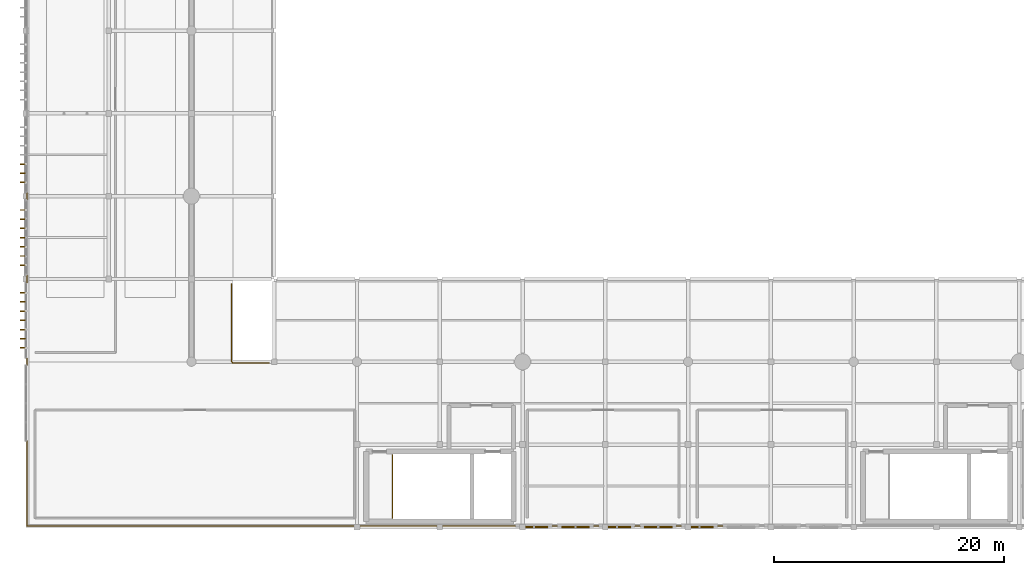
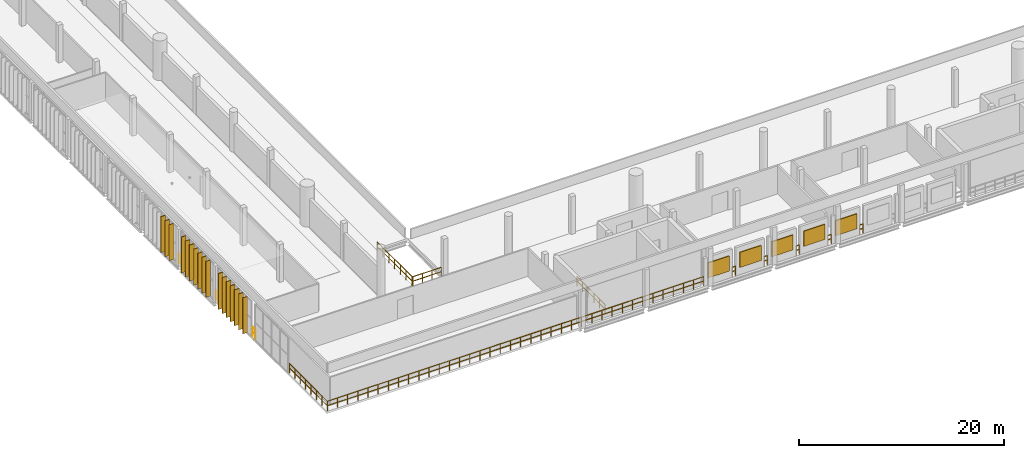
# One storey, part 57 of 64: 17 coverings, 15 shading devices, 12 railings.
"""IFC4 building model written with IfcOpenShell, lengths in metres."""

from ifc_helpers import new_model, si_unit, direction, frame, origin, origin_2d, place, context, subcontext, project, spatial, rectangle, circle, extrude, material, layer, layer_set, type_object, element, save


model = new_model("IFC4")

# Units and contexts
model_context = context("Model", 3, precision=1e-05, world=origin(), true_north=direction((0.0, 1.0)))
body_context = subcontext(model_context, "Body", "Model", "MODEL_VIEW")
ifc_project = project(units=[si_unit("LENGTHUNIT", "METRE"), si_unit("AREAUNIT", "SQUARE_METRE"), si_unit("VOLUMEUNIT", "CUBIC_METRE"), si_unit("PLANEANGLEUNIT", "RADIAN"), si_unit("MASSUNIT", "GRAM", prefix="KILO")], contexts=[model_context])

# Site, building, storey
site_placement = place(None, origin())
site = spatial("IfcSite", under=ifc_project, at=site_placement, CompositionType="ELEMENT")
building_placement = place(site_placement, origin())
building = spatial("IfcBuilding", under=site, at=building_placement, Name="Qandorah Velis Arena", CompositionType="ELEMENT")
storey_placement = place(building_placement, frame((0.0, 0.0, 23.0)))
storey = spatial("IfcBuildingStorey", under=building, at=storey_placement, Name="L05", CompositionType="ELEMENT", Elevation=23.0)

# Coverings
ifc_material_1 = material(Name="Champagne-bronze anodized aluminium 6063-T6", Category="aluminium")
ifc_layer_1 = layer(ifc_material_1, 0.0849609375)
ifc_layer_set_1 = layer_set([ifc_layer_1], Name="Champagne-bronze anodized aluminium 6063-T6")
covering_type = type_object("IfcCoveringType", Name="ARC-COV-FIN520", PredefinedType="CLADDING", material=ifc_layer_set_1)
for number, where, z_axis, x_axis, name in (
    (1, (-0.251953125, 15.60009765625, -0.01025390625), (0.0, 0.0, 1.0), (1.0, 0.0, 0.0), "Vertical champagne-bronze solar fin blade WNG-W-L05-02-001"),
    (2, (-0.251953125, 16.39990234375, -0.01025390625), (0.0, 0.0, 1.0), (1.0, 0.0, 0.0), "Vertical champagne-bronze solar fin blade WNG-W-L05-02-002"),
    (3, (-0.251953125, 17.199951171875, -0.01025390625), (0.0, 0.0, 1.0), (1.0, 0.0, 0.0), "Vertical champagne-bronze solar fin blade WNG-W-L05-02-003"),
    (4, (-0.251953125, 18.0, -0.01025390625), (0.0, 0.0, 1.0), (1.0, 0.0, 0.0), "Vertical champagne-bronze solar fin blade WNG-W-L05-02-004"),
    (5, (-0.251953125, 18.800048828125, -0.01025390625), (0.0, 0.0, 1.0), (1.0, 0.0, 0.0), "Vertical champagne-bronze solar fin blade WNG-W-L05-02-005"),
    (6, (-0.251953125, 19.60009765625, -0.01025390625), (0.0, 0.0, 1.0), (1.0, 0.0, 0.0), "Vertical champagne-bronze solar fin blade WNG-W-L05-02-006"),
    (7, (-0.251953125, 20.39990234375, -0.01025390625), (0.0, 0.0, 1.0), (1.0, 0.0, 0.0), "Vertical champagne-bronze solar fin blade WNG-W-L05-02-007"),
    (8, (-0.251953125, 22.800048828125, -0.01025390625), (0.0, 0.0, 1.0), (1.0, 0.0, 0.0), "Vertical champagne-bronze solar fin blade WNG-W-L05-03-001"),
    (9, (-0.251953125, 23.60009765625, -0.01025390625), (0.0, 0.0, 1.0), (1.0, 0.0, 0.0), "Vertical champagne-bronze solar fin blade WNG-W-L05-03-002"),
    (10, (-0.251953125, 24.39990234375, -0.01025390625), (0.0, 0.0, 1.0), (1.0, 0.0, 0.0), "Vertical champagne-bronze solar fin blade WNG-W-L05-03-003"),
    (11, (-0.251953125, 25.199951171875, -0.01025390625), (0.0, 0.0, 1.0), (1.0, 0.0, 0.0), "Vertical champagne-bronze solar fin blade WNG-W-L05-03-004"),
    (12, (-0.251953125, 26.0, -0.01025390625), (0.0, 0.0, 1.0), (1.0, 0.0, 0.0), "Vertical champagne-bronze solar fin blade WNG-W-L05-03-005"),
    (13, (-0.251953125, 26.800048828125, -0.01025390625), (0.0, 0.0, 1.0), (1.0, 0.0, 0.0), "Vertical champagne-bronze solar fin blade WNG-W-L05-03-006"),
    (14, (-0.251953125, 27.60009765625, -0.01025390625), (0.0, 0.0, 1.0), (1.0, 0.0, 0.0), "Vertical champagne-bronze solar fin blade WNG-W-L05-03-007"),
    (15, (-0.251953125, 30.0, -0.01025390625), (0.0, 0.0, 1.0), (1.0, 0.0, 0.0), "Vertical champagne-bronze solar fin blade WNG-W-L05-04-001"),
    (16, (-0.251953125, 30.800048828125, -0.01025390625), (0.0, 0.0, 1.0), (1.0, 0.0, 0.0), "Vertical champagne-bronze solar fin blade WNG-W-L05-04-002"),
    (17, (-0.251953125, 31.60009765625, -0.01025390625), (0.0, 0.0, 1.0), (1.0, 0.0, 0.0), "Vertical champagne-bronze solar fin blade WNG-W-L05-04-003"),
):
    element("IfcCovering", number, at=place(storey_placement, frame(where, z_axis=z_axis, x_axis=x_axis)), inside=storey, type_object=covering_type, Name=name, PredefinedType="CLADDING", context=body_context, shape_type="SweptSolid", body=[
        extrude(rectangle(XDim=0.52001953125, YDim=0.0849609375, at=origin_2d()), origin(), (0.0, 0.0, 1.0), 4.300048828125),
    ])

# Railings
ifc_material_2 = material(Name="Stainless steel 316", Category="steel")
railing_type = type_object("IfcRailingType", Name="ARC-RL-GRD1150", PredefinedType="GUARDRAIL", material=ifc_material_2)
railing_1_placement = place(storey_placement, frame((31.8701171875, 0.81005859375, 0.0)))
element("IfcRailing", 18, at=railing_1_placement, inside=storey, type_object=railing_type, Name="Stair ST1 top well guardrail L05", PredefinedType="GUARDRAIL", context=body_context, shape_type="SweptSolid", body=[
    extrude(circle(Radius=0.02392578125, at=origin_2d()), frame((0.0, 0.0, 1.1259765625), z_axis=(0.0, 1.0, 0.0), x_axis=(-1.0, 0.0, 0.0)), (0.0, 0.0, 1.0), 5.47998046875),
    extrude(circle(Radius=0.02392578125, at=origin_2d()), frame((0.0, 0.0, 0.597900390625), z_axis=(0.0, 1.0, 0.0), x_axis=(-1.0, 0.0, 0.0)), (0.0, 0.0, 1.0), 5.47998046875),
    extrude(circle(Radius=0.02099609375, at=origin_2d()), origin(), (0.0, 0.0, 1.0), 1.101806640625),
    extrude(circle(Radius=0.02099609375, at=origin_2d()), frame((0.0, 1.095947265625, 0.0)), (0.0, 0.0, 1.0), 1.101806640625),
    extrude(circle(Radius=0.02099609375, at=origin_2d()), frame((0.0, 2.19189453125, 0.0)), (0.0, 0.0, 1.0), 1.101806640625),
    extrude(circle(Radius=0.02099609375, at=origin_2d()), frame((0.0, 3.2880859375, 0.0)), (0.0, 0.0, 1.0), 1.101806640625),
    extrude(circle(Radius=0.02099609375, at=origin_2d()), frame((0.0, 4.384033203125, 0.0)), (0.0, 0.0, 1.0), 1.101806640625),
    extrude(circle(Radius=0.02099609375, at=origin_2d()), frame((0.0, 5.47998046875, 0.0)), (0.0, 0.0, 1.0), 1.101806640625),
])
railing_2_placement = place(storey_placement, frame((0.10009765625, 0.10009765625, 0.0)))
element("IfcRailing", 19, at=railing_2_placement, inside=storey, type_object=railing_type, Name="Slab edge safety guardrail L05-246", PredefinedType="GUARDRAIL", context=body_context, shape_type="SweptSolid", body=[
    extrude(circle(Radius=0.02392578125, at=origin_2d()), frame((0.0, 0.0, 1.1259765625), z_axis=(0.0, 1.0, 0.0), x_axis=(-1.0, 0.0, 0.0)), (0.0, 0.0, 1.0), 7.39990234375),
    extrude(circle(Radius=0.02392578125, at=origin_2d()), frame((0.0, 0.0, 0.597900390625), z_axis=(0.0, 1.0, 0.0), x_axis=(-1.0, 0.0, 0.0)), (0.0, 0.0, 1.0), 7.39990234375),
    extrude(circle(Radius=0.02099609375, at=origin_2d()), origin(), (0.0, 0.0, 1.0), 1.101806640625),
    extrude(circle(Radius=0.02099609375, at=origin_2d()), frame((0.0, 1.05712890625, 0.0)), (0.0, 0.0, 1.0), 1.101806640625),
    extrude(circle(Radius=0.02099609375, at=origin_2d()), frame((0.0, 2.1142578125, 0.0)), (0.0, 0.0, 1.0), 1.101806640625),
    extrude(circle(Radius=0.02099609375, at=origin_2d()), frame((0.0, 3.17138671875, 0.0)), (0.0, 0.0, 1.0), 1.101806640625),
    extrude(circle(Radius=0.02099609375, at=origin_2d()), frame((0.0, 4.228515625, 0.0)), (0.0, 0.0, 1.0), 1.101806640625),
    extrude(circle(Radius=0.02099609375, at=origin_2d()), frame((0.0, 5.28564453125, 0.0)), (0.0, 0.0, 1.0), 1.101806640625),
    extrude(circle(Radius=0.02099609375, at=origin_2d()), frame((0.0, 6.3427734375, 0.0)), (0.0, 0.0, 1.0), 1.101806640625),
    extrude(circle(Radius=0.02099609375, at=origin_2d()), frame((0.0, 7.39990234375, 0.0)), (0.0, 0.0, 1.0), 1.101806640625),
])
for number, where, name in (
    (20, (0.10009765625, 14.10009765625, 0.0), "Slab edge safety guardrail L05-247"),
    (21, (0.10009765625, 21.300048828125, 0.0), "Slab edge safety guardrail L05-248"),
):
    element("IfcRailing", number, at=place(storey_placement, frame(where)), inside=storey, type_object=railing_type, Name=name, PredefinedType="GUARDRAIL", context=body_context, shape_type="SweptSolid", body=[
        extrude(circle(Radius=0.02392578125, at=origin_2d()), frame((0.0, 0.0, 1.1259765625), z_axis=(0.0, 1.0, 0.0), x_axis=(-1.0, 0.0, 0.0)), (0.0, 0.0, 1.0), 0.599853515625),
        extrude(circle(Radius=0.02392578125, at=origin_2d()), frame((0.0, 0.0, 0.597900390625), z_axis=(0.0, 1.0, 0.0), x_axis=(-1.0, 0.0, 0.0)), (0.0, 0.0, 1.0), 0.599853515625),
        extrude(circle(Radius=0.02099609375, at=origin_2d()), origin(), (0.0, 0.0, 1.0), 1.101806640625),
        extrude(circle(Radius=0.02099609375, at=origin_2d()), frame((0.0, 0.599853515625, 0.0)), (0.0, 0.0, 1.0), 1.101806640625),
    ])
railing_3_placement = place(storey_placement, frame((0.10009765625, 28.5, 0.0)))
element("IfcRailing", 22, at=railing_3_placement, inside=storey, type_object=railing_type, Name="Slab edge safety guardrail L05-249", PredefinedType="GUARDRAIL", context=body_context, shape_type="SweptSolid", body=[
    extrude(circle(Radius=0.02392578125, at=origin_2d()), frame((0.0, 0.0, 1.1259765625), z_axis=(0.0, 1.0, 0.0), x_axis=(-1.0, 0.0, 0.0)), (0.0, 0.0, 1.0), 0.60009765625),
    extrude(circle(Radius=0.02392578125, at=origin_2d()), frame((0.0, 0.0, 0.597900390625), z_axis=(0.0, 1.0, 0.0), x_axis=(-1.0, 0.0, 0.0)), (0.0, 0.0, 1.0), 0.60009765625),
    extrude(circle(Radius=0.02099609375, at=origin_2d()), origin(), (0.0, 0.0, 1.0), 1.101806640625),
    extrude(circle(Radius=0.02099609375, at=origin_2d()), frame((0.0, 0.60009765625, 0.0)), (0.0, 0.0, 1.0), 1.101806640625),
])
railing_4_placement = place(storey_placement, frame((17.89990234375, 21.16162109375, 0.0)))
element("IfcRailing", 23, at=railing_4_placement, inside=storey, type_object=railing_type, Name="Slab edge safety guardrail L05-272", PredefinedType="GUARDRAIL", context=body_context, shape_type="SweptSolid", body=[
    extrude(circle(Radius=0.02392578125, at=origin_2d()), frame((0.0, 0.0, 1.1259765625), z_axis=(0.0, -1.0, 0.0), x_axis=(1.0, 0.0, 0.0)), (0.0, 0.0, 1.0), 6.76171875),
    extrude(circle(Radius=0.02392578125, at=origin_2d()), frame((0.0, 0.0, 0.597900390625), z_axis=(0.0, -1.0, 0.0), x_axis=(1.0, 0.0, 0.0)), (0.0, 0.0, 1.0), 6.76171875),
    extrude(circle(Radius=0.02392578125, at=origin_2d()), frame((0.0, -6.76171875, 1.1259765625), z_axis=(0.635437237523, -0.77215252196, 0.0), x_axis=(0.77215252196, 0.635437237523, 0.0)), (0.0, 0.0, 1.0), 0.126708984375),
    extrude(circle(Radius=0.02392578125, at=origin_2d()), frame((0.0, -6.76171875, 0.597900390625), z_axis=(0.635437237523, -0.77215252196, 0.0), x_axis=(0.77215252196, 0.635437237523, 0.0)), (0.0, 0.0, 1.0), 0.126708984375),
    extrude(circle(Radius=0.02392578125, at=origin_2d()), frame((0.08056640625, -6.859619140625, 1.1259765625), z_axis=(0.999999811522, -0.000613967651, 0.0), x_axis=(0.000613967651, 0.999999811522, 0.0)), (0.0, 0.0, 1.0), 3.18115234375),
    extrude(circle(Radius=0.02392578125, at=origin_2d()), frame((0.08056640625, -6.859619140625, 0.597900390625), z_axis=(0.999999811522, -0.000613967651, 0.0), x_axis=(0.000613967651, 0.999999811522, 0.0)), (0.0, 0.0, 1.0), 3.18115234375),
    extrude(circle(Radius=0.02099609375, at=origin_2d()), origin(), (0.0, 0.0, 1.0), 1.101806640625),
    extrude(circle(Radius=0.02099609375, at=origin_2d()), frame((0.0, -1.126953125, 0.0)), (0.0, 0.0, 1.0), 1.101806640625),
    extrude(circle(Radius=0.02099609375, at=origin_2d()), frame((0.0, -2.25390625, 0.0)), (0.0, 0.0, 1.0), 1.101806640625),
    extrude(circle(Radius=0.02099609375, at=origin_2d()), frame((0.0, -3.380859375, 0.0)), (0.0, 0.0, 1.0), 1.101806640625),
    extrude(circle(Radius=0.02099609375, at=origin_2d()), frame((0.0, -4.5078125, 0.0)), (0.0, 0.0, 1.0), 1.101806640625),
    extrude(circle(Radius=0.02099609375, at=origin_2d()), frame((0.0, -5.634765625, 0.0)), (0.0, 0.0, 1.0), 1.101806640625),
    extrude(circle(Radius=0.02099609375, at=origin_2d()), frame((0.0, -6.76171875, 0.0)), (0.0, 0.0, 1.0), 1.101806640625),
    extrude(circle(Radius=0.02099609375, at=origin_2d()), frame((0.08056640625, -6.859619140625, 0.0)), (0.0, 0.0, 1.0), 1.101806640625),
    extrude(circle(Radius=0.02099609375, at=origin_2d()), frame((1.140869140625, -6.8603515625, 0.0)), (0.0, 0.0, 1.0), 1.101806640625),
    extrude(circle(Radius=0.02099609375, at=origin_2d()), frame((2.201416015625, -6.86083984375, 0.0)), (0.0, 0.0, 1.0), 1.101806640625),
    extrude(circle(Radius=0.02099609375, at=origin_2d()), frame((3.26171875, -6.861572265625, 0.0)), (0.0, 0.0, 1.0), 1.101806640625),
])
railing_5_placement = place(storey_placement, frame((60.60009765625, 0.10009765625, 0.0)))
element("IfcRailing", 24, at=railing_5_placement, inside=storey, type_object=railing_type, Name="Slab edge safety guardrail L05-276", PredefinedType="GUARDRAIL", context=body_context, shape_type="SweptSolid", body=[
    extrude(circle(Radius=0.02392578125, at=origin_2d()), frame((0.0, 0.0, 1.1259765625), z_axis=(-1.0, 0.0, 0.0), x_axis=(0.0, -1.0, 0.0)), (0.0, 0.0, 1.0), 0.400146484375),
    extrude(circle(Radius=0.02392578125, at=origin_2d()), frame((0.0, 0.0, 0.597900390625), z_axis=(-1.0, 0.0, 0.0), x_axis=(0.0, -1.0, 0.0)), (0.0, 0.0, 1.0), 0.400146484375),
    extrude(circle(Radius=0.02099609375, at=origin_2d()), origin(), (0.0, 0.0, 1.0), 1.101806640625),
    extrude(circle(Radius=0.02099609375, at=origin_2d()), frame((-0.400146484375, 0.0, 0.0)), (0.0, 0.0, 1.0), 1.101806640625),
])
for number, where, name in (
    (25, (57.0, 0.10009765625, 0.0), "Slab edge safety guardrail L05-277"),
    (26, (53.39990234375, 0.10009765625, 0.0), "Slab edge safety guardrail L05-278"),
):
    element("IfcRailing", number, at=place(storey_placement, frame(where)), inside=storey, type_object=railing_type, Name=name, PredefinedType="GUARDRAIL", context=body_context, shape_type="SweptSolid", body=[
        extrude(circle(Radius=0.02392578125, at=origin_2d()), frame((0.0, 0.0, 1.1259765625), z_axis=(-1.0, 0.0, 0.0), x_axis=(0.0, -1.0, 0.0)), (0.0, 0.0, 1.0), 0.39990234375),
        extrude(circle(Radius=0.02392578125, at=origin_2d()), frame((0.0, 0.0, 0.597900390625), z_axis=(-1.0, 0.0, 0.0), x_axis=(0.0, -1.0, 0.0)), (0.0, 0.0, 1.0), 0.39990234375),
        extrude(circle(Radius=0.02099609375, at=origin_2d()), origin(), (0.0, 0.0, 1.0), 1.101806640625),
        extrude(circle(Radius=0.02099609375, at=origin_2d()), frame((-0.39990234375, 0.0, 0.0)), (0.0, 0.0, 1.0), 1.101806640625),
    ])
railing_6_placement = place(storey_placement, frame((49.800048828125, 0.10009765625, 0.0)))
element("IfcRailing", 27, at=railing_6_placement, inside=storey, type_object=railing_type, Name="Slab edge safety guardrail L05-279", PredefinedType="GUARDRAIL", context=body_context, shape_type="SweptSolid", body=[
    extrude(circle(Radius=0.02392578125, at=origin_2d()), frame((0.0, 0.0, 1.1259765625), z_axis=(-1.0, 0.0, 0.0), x_axis=(0.0, -1.0, 0.0)), (0.0, 0.0, 1.0), 0.400146484375),
    extrude(circle(Radius=0.02392578125, at=origin_2d()), frame((0.0, 0.0, 0.597900390625), z_axis=(-1.0, 0.0, 0.0), x_axis=(0.0, -1.0, 0.0)), (0.0, 0.0, 1.0), 0.400146484375),
    extrude(circle(Radius=0.02099609375, at=origin_2d()), origin(), (0.0, 0.0, 1.0), 1.101806640625),
    extrude(circle(Radius=0.02099609375, at=origin_2d()), frame((-0.400146484375, 0.0, 0.0)), (0.0, 0.0, 1.0), 1.101806640625),
])
railing_7_placement = place(storey_placement, frame((46.199951171875, 0.10009765625, 0.0)))
element("IfcRailing", 28, at=railing_7_placement, inside=storey, type_object=railing_type, Name="Slab edge safety guardrail L05-280", PredefinedType="GUARDRAIL", context=body_context, shape_type="SweptSolid", body=[
    extrude(circle(Radius=0.02392578125, at=origin_2d()), frame((0.0, 0.0, 1.1259765625), z_axis=(-1.0, 0.0, 0.0), x_axis=(0.0, -1.0, 0.0)), (0.0, 0.0, 1.0), 0.39990234375),
    extrude(circle(Radius=0.02392578125, at=origin_2d()), frame((0.0, 0.0, 0.597900390625), z_axis=(-1.0, 0.0, 0.0), x_axis=(0.0, -1.0, 0.0)), (0.0, 0.0, 1.0), 0.39990234375),
    extrude(circle(Radius=0.02099609375, at=origin_2d()), origin(), (0.0, 0.0, 1.0), 1.101806640625),
    extrude(circle(Radius=0.02099609375, at=origin_2d()), frame((-0.39990234375, 0.0, 0.0)), (0.0, 0.0, 1.0), 1.101806640625),
])
railing_8_placement = place(storey_placement, frame((42.60009765625, 0.10009765625, 0.0)))
element("IfcRailing", 29, at=railing_8_placement, inside=storey, type_object=railing_type, Name="Slab edge safety guardrail L05-281", PredefinedType="GUARDRAIL", context=body_context, shape_type="SweptSolid", body=[
    extrude(circle(Radius=0.02392578125, at=origin_2d()), frame((0.0, 0.0, 1.1259765625), z_axis=(-1.0, 0.0, 0.0), x_axis=(0.0, -1.0, 0.0)), (0.0, 0.0, 1.0), 42.5),
    extrude(circle(Radius=0.02392578125, at=origin_2d()), frame((0.0, 0.0, 0.597900390625), z_axis=(-1.0, 0.0, 0.0), x_axis=(0.0, -1.0, 0.0)), (0.0, 0.0, 1.0), 42.5),
    extrude(circle(Radius=0.02099609375, at=origin_2d()), origin(), (0.0, 0.0, 1.0), 1.101806640625),
    extrude(circle(Radius=0.02099609375, at=origin_2d()), frame((-1.148681640625, 0.0, 0.0)), (0.0, 0.0, 1.0), 1.101806640625),
    extrude(circle(Radius=0.02099609375, at=origin_2d()), frame((-2.29736328125, 0.0, 0.0)), (0.0, 0.0, 1.0), 1.101806640625),
    extrude(circle(Radius=0.02099609375, at=origin_2d()), frame((-3.446044921875, 0.0, 0.0)), (0.0, 0.0, 1.0), 1.101806640625),
    extrude(circle(Radius=0.02099609375, at=origin_2d()), frame((-4.594482421875, 0.0, 0.0)), (0.0, 0.0, 1.0), 1.101806640625),
    extrude(circle(Radius=0.02099609375, at=origin_2d()), frame((-5.7431640625, 0.0, 0.0)), (0.0, 0.0, 1.0), 1.101806640625),
    extrude(circle(Radius=0.02099609375, at=origin_2d()), frame((-6.891845703125, 0.0, 0.0)), (0.0, 0.0, 1.0), 1.101806640625),
    extrude(circle(Radius=0.02099609375, at=origin_2d()), frame((-8.04052734375, 0.0, 0.0)), (0.0, 0.0, 1.0), 1.101806640625),
    extrude(circle(Radius=0.02099609375, at=origin_2d()), frame((-9.189208984375, 0.0, 0.0)), (0.0, 0.0, 1.0), 1.101806640625),
    extrude(circle(Radius=0.02099609375, at=origin_2d()), frame((-10.337890625, 0.0, 0.0)), (0.0, 0.0, 1.0), 1.101806640625),
    extrude(circle(Radius=0.02099609375, at=origin_2d()), frame((-11.486572265625, 0.0, 0.0)), (0.0, 0.0, 1.0), 1.101806640625),
    extrude(circle(Radius=0.02099609375, at=origin_2d()), frame((-12.63525390625, 0.0, 0.0)), (0.0, 0.0, 1.0), 1.101806640625),
    extrude(circle(Radius=0.02099609375, at=origin_2d()), frame((-13.78369140625, 0.0, 0.0)), (0.0, 0.0, 1.0), 1.101806640625),
    extrude(circle(Radius=0.02099609375, at=origin_2d()), frame((-14.932373046875, 0.0, 0.0)), (0.0, 0.0, 1.0), 1.101806640625),
    extrude(circle(Radius=0.02099609375, at=origin_2d()), frame((-16.0810546875, 0.0, 0.0)), (0.0, 0.0, 1.0), 1.101806640625),
    extrude(circle(Radius=0.02099609375, at=origin_2d()), frame((-17.229736328125, 0.0, 0.0)), (0.0, 0.0, 1.0), 1.101806640625),
    extrude(circle(Radius=0.02099609375, at=origin_2d()), frame((-18.37841796875, 0.0, 0.0)), (0.0, 0.0, 1.0), 1.101806640625),
    extrude(circle(Radius=0.02099609375, at=origin_2d()), frame((-19.527099609375, 0.0, 0.0)), (0.0, 0.0, 1.0), 1.101806640625),
    extrude(circle(Radius=0.02099609375, at=origin_2d()), frame((-20.67578125, 0.0, 0.0)), (0.0, 0.0, 1.0), 1.101806640625),
    extrude(circle(Radius=0.02099609375, at=origin_2d()), frame((-21.82421875, 0.0, 0.0)), (0.0, 0.0, 1.0), 1.101806640625),
    extrude(circle(Radius=0.02099609375, at=origin_2d()), frame((-22.972900390625, 0.0, 0.0)), (0.0, 0.0, 1.0), 1.101806640625),
    extrude(circle(Radius=0.02099609375, at=origin_2d()), frame((-24.12158203125, 0.0, 0.0)), (0.0, 0.0, 1.0), 1.101806640625),
    extrude(circle(Radius=0.02099609375, at=origin_2d()), frame((-25.270263671875, 0.0, 0.0)), (0.0, 0.0, 1.0), 1.101806640625),
    extrude(circle(Radius=0.02099609375, at=origin_2d()), frame((-26.4189453125, 0.0, 0.0)), (0.0, 0.0, 1.0), 1.101806640625),
    extrude(circle(Radius=0.02099609375, at=origin_2d()), frame((-27.567626953125, 0.0, 0.0)), (0.0, 0.0, 1.0), 1.101806640625),
    extrude(circle(Radius=0.02099609375, at=origin_2d()), frame((-28.71630859375, 0.0, 0.0)), (0.0, 0.0, 1.0), 1.101806640625),
    extrude(circle(Radius=0.02099609375, at=origin_2d()), frame((-29.86474609375, 0.0, 0.0)), (0.0, 0.0, 1.0), 1.101806640625),
    extrude(circle(Radius=0.02099609375, at=origin_2d()), frame((-31.013427734375, 0.0, 0.0)), (0.0, 0.0, 1.0), 1.101806640625),
    extrude(circle(Radius=0.02099609375, at=origin_2d()), frame((-32.162109375, 0.0, 0.0)), (0.0, 0.0, 1.0), 1.101806640625),
    extrude(circle(Radius=0.02099609375, at=origin_2d()), frame((-33.310791015625, 0.0, 0.0)), (0.0, 0.0, 1.0), 1.101806640625),
    extrude(circle(Radius=0.02099609375, at=origin_2d()), frame((-34.45947265625, 0.0, 0.0)), (0.0, 0.0, 1.0), 1.101806640625),
    extrude(circle(Radius=0.02099609375, at=origin_2d()), frame((-35.608154296875, 0.0, 0.0)), (0.0, 0.0, 1.0), 1.101806640625),
    extrude(circle(Radius=0.02099609375, at=origin_2d()), frame((-36.7568359375, 0.0, 0.0)), (0.0, 0.0, 1.0), 1.101806640625),
    extrude(circle(Radius=0.02099609375, at=origin_2d()), frame((-37.905517578125, 0.0, 0.0)), (0.0, 0.0, 1.0), 1.101806640625),
    extrude(circle(Radius=0.02099609375, at=origin_2d()), frame((-39.053955078125, 0.0, 0.0)), (0.0, 0.0, 1.0), 1.101806640625),
    extrude(circle(Radius=0.02099609375, at=origin_2d()), frame((-40.20263671875, 0.0, 0.0)), (0.0, 0.0, 1.0), 1.101806640625),
    extrude(circle(Radius=0.02099609375, at=origin_2d()), frame((-41.351318359375, 0.0, 0.0)), (0.0, 0.0, 1.0), 1.101806640625),
    extrude(circle(Radius=0.02099609375, at=origin_2d()), frame((-42.5, 0.0, 0.0)), (0.0, 0.0, 1.0), 1.101806640625),
])

# Shading devices
shading_device_type_1 = type_object("IfcShadingDeviceType", Name="ARC-SHD-FIN520", PredefinedType="USERDEFINED", material=ifc_material_1)
for number, where, z_axis, x_axis, name in (
    (30, (-0.251953125, 15.60009765625, -0.01025390625), (0.0, 0.0, 1.0), (1.0, 0.0, 0.0), "Vertical aerofoil solar fin SF-0171"),
    (31, (-0.251953125, 17.199951171875, -0.01025390625), (0.0, 0.0, 1.0), (1.0, 0.0, 0.0), "Vertical aerofoil solar fin SF-0172"),
    (32, (-0.251953125, 18.800048828125, -0.01025390625), (0.0, 0.0, 1.0), (1.0, 0.0, 0.0), "Vertical aerofoil solar fin SF-0173"),
    (33, (-0.251953125, 20.39990234375, -0.01025390625), (0.0, 0.0, 1.0), (1.0, 0.0, 0.0), "Vertical aerofoil solar fin SF-0174"),
    (34, (-0.251953125, 22.800048828125, -0.01025390625), (0.0, 0.0, 1.0), (1.0, 0.0, 0.0), "Vertical aerofoil solar fin SF-0175"),
    (35, (-0.251953125, 24.39990234375, -0.01025390625), (0.0, 0.0, 1.0), (1.0, 0.0, 0.0), "Vertical aerofoil solar fin SF-0176"),
    (36, (-0.251953125, 26.0, -0.01025390625), (0.0, 0.0, 1.0), (1.0, 0.0, 0.0), "Vertical aerofoil solar fin SF-0177"),
    (37, (-0.251953125, 27.60009765625, -0.01025390625), (0.0, 0.0, 1.0), (1.0, 0.0, 0.0), "Vertical aerofoil solar fin SF-0178"),
    (38, (-0.251953125, 30.0, -0.01025390625), (0.0, 0.0, 1.0), (1.0, 0.0, 0.0), "Vertical aerofoil solar fin SF-0179"),
    (39, (-0.251953125, 31.60009765625, -0.01025390625), (0.0, 0.0, 1.0), (1.0, 0.0, 0.0), "Vertical aerofoil solar fin SF-0180"),
):
    element("IfcShadingDevice", number, at=place(storey_placement, frame(where, z_axis=z_axis, x_axis=x_axis)), inside=storey, type_object=shading_device_type_1, Name=name, ObjectType="SOLAR FIN", PredefinedType="USERDEFINED", context=body_context, shape_type="SweptSolid", body=[
        extrude(rectangle(XDim=0.52001953125, YDim=0.0849609375, at=origin_2d()), origin(), (0.0, 0.0, 1.0), 4.300048828125),
    ])
ifc_layer_2 = layer(ifc_material_1, 0.14990234375)
ifc_layer_set_2 = layer_set([ifc_layer_2], Name="Champagne-bronze anodized aluminium 6063-T6")
shading_device_type_2 = type_object("IfcShadingDeviceType", Name="ARC-SHD-LVR150", PredefinedType="JALOUSIE", material=ifc_layer_set_2)
for number, where, z_axis, x_axis, name in (
    (40, (44.199951171875, 0.02001953125, 0.89990234375), (0.0, 0.0, 1.0), (1.0, 0.0, 0.0), "Smoke-extract intake acoustic louvre ALV-01"),
    (41, (47.800048828125, 0.02001953125, 0.89990234375), (0.0, 0.0, 1.0), (1.0, 0.0, 0.0), "Smoke-extract intake acoustic louvre ALV-02"),
    (42, (51.39990234375, 0.02001953125, 0.89990234375), (0.0, 0.0, 1.0), (1.0, 0.0, 0.0), "Smoke-extract intake acoustic louvre ALV-03"),
    (43, (55.0, 0.02001953125, 0.89990234375), (0.0, 0.0, 1.0), (1.0, 0.0, 0.0), "Smoke-extract intake acoustic louvre ALV-04"),
    (44, (58.60009765625, 0.02001953125, 0.89990234375), (0.0, 0.0, 1.0), (1.0, 0.0, 0.0), "Smoke-extract intake acoustic louvre ALV-05"),
):
    element("IfcShadingDevice", number, at=place(storey_placement, frame(where, z_axis=z_axis, x_axis=x_axis)), inside=storey, type_object=shading_device_type_2, Name=name, PredefinedType="JALOUSIE", context=body_context, shape_type="SweptSolid", body=[
        extrude(rectangle(XDim=2.39990234375, YDim=0.14990234375, at=origin_2d()), origin(), (0.0, 0.0, 1.0), 1.800048828125),
    ])

save(model, "model.ifc")
